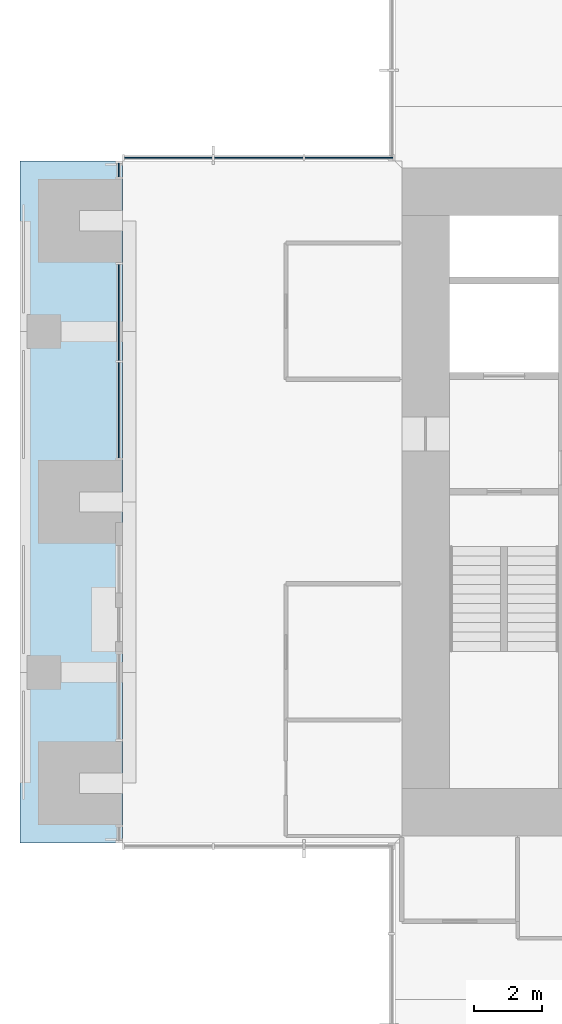
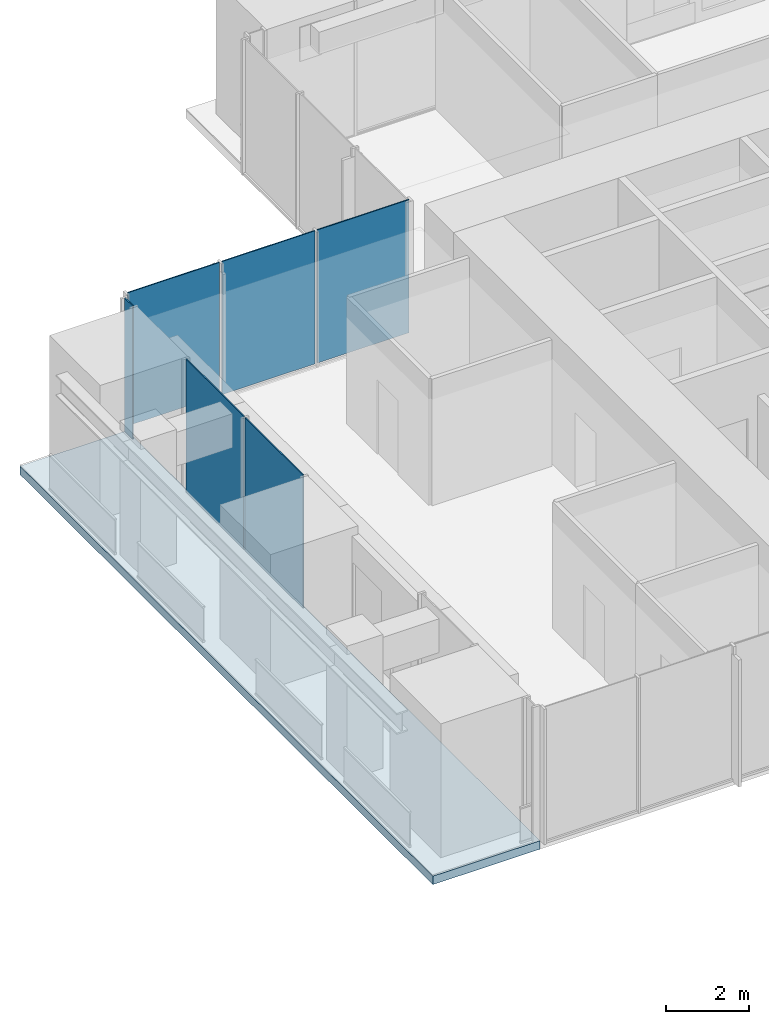
# One storey, part 8 of 17: 6 plates, 1 slab, 3 elements without a shape of their own.
"""IFC4 building model written with IfcOpenShell, lengths in metres."""

from ifc_helpers import new_model, si_unit, direction, frame, origin, origin_2d, place, context, subcontext, project, spatial, polyline, rectangle, outline, extrude, material, layer, layer_set, type_object, element, aggregate, save


model = new_model("IFC4")

# Units and contexts
model_context = context("Model", 3, precision=1e-05, world=origin(), true_north=direction((0.0, 1.0)))
body_context = subcontext(model_context, "Body", "Model", "MODEL_VIEW")
ifc_project = project(units=[si_unit("LENGTHUNIT", "METRE"), si_unit("AREAUNIT", "SQUARE_METRE"), si_unit("VOLUMEUNIT", "CUBIC_METRE"), si_unit("PLANEANGLEUNIT", "RADIAN"), si_unit("MASSUNIT", "GRAM", prefix="KILO")], contexts=[model_context])

# Site, building, storey
site_placement = place(None, origin())
site = spatial("IfcSite", under=ifc_project, at=site_placement, CompositionType="ELEMENT")
building_placement = place(site_placement, origin())
building = spatial("IfcBuilding", under=site, at=building_placement, Name="Svetlomir Tower", CompositionType="ELEMENT")
storey_placement = place(building_placement, frame((0.0, 0.0, 194.5)))
storey = spatial("IfcBuildingStorey", under=building, at=storey_placement, Name="L46", CompositionType="ELEMENT", Elevation=194.5)

# Curtain wall, plates
ifc_material_1 = material(Name="Bronze anodised aluminium curtain wall", Category="aluminium")
curtain_wall_type = type_object("IfcCurtainWallType", Name="CURTAIN WALL CW1 TOWER OFFICE", PredefinedType="NOTDEFINED", material=ifc_material_1)
curtain_wall_1_placement = place(storey_placement, origin())
curtain_wall_1 = element("IfcCurtainWall", 1, at=curtain_wall_1_placement, inside=storey, type_object=curtain_wall_type, Name="Curtain wall CW1 L46", PredefinedType="NOTDEFINED")
ifc_material_2 = material(Name="Tinted double glazed unit", Category="glass")
ifc_layer_1 = layer(ifc_material_2, 0.031982421875)
ifc_layer_set_1 = layer_set([ifc_layer_1], Name="Tinted double glazed unit")
plate_type = type_object("IfcPlateType", Name="CW1 GLAZED PANEL 32", PredefinedType="CURTAIN_PANEL", material=ifc_layer_set_1)
plate_1_placement = place(storey_placement, frame((9.650390625, 31.10009765625, 0.06494140625), z_axis=(0.0, 0.0, 1.0), x_axis=(-1.0, 0.0, 0.0)))
plate_1 = element("IfcPlate", 2, at=plate_1_placement, type_object=plate_type, Name="CW1 panel 1.1", PredefinedType="CURTAIN_PANEL", context=body_context, shape_type="SweptSolid", body=[
    extrude(rectangle(XDim=2.569091796875, YDim=0.031982421875, at=origin_2d()), origin(), (0.0, 0.0, 1.0), 3.93505859375),
])
plate_2_placement = place(storey_placement, frame((7.0, 31.10009765625, 0.06494140625), z_axis=(0.0, 0.0, 1.0), x_axis=(-1.0, 0.0, 0.0)))
plate_2 = element("IfcPlate", 3, at=plate_2_placement, type_object=plate_type, Name="CW1 panel 2.1", PredefinedType="CURTAIN_PANEL", context=body_context, shape_type="SweptSolid", body=[
    extrude(rectangle(XDim=2.6015625, YDim=0.031982421875, at=origin_2d()), origin(), (0.0, 0.0, 1.0), 3.93505859375),
])
plate_3_placement = place(storey_placement, frame((4.349609375, 31.10009765625, 0.06494140625), z_axis=(0.0, 0.0, 1.0), x_axis=(-1.0, 0.0, 0.0)))
plate_3 = element("IfcPlate", 4, at=plate_3_placement, type_object=plate_type, Name="CW1 panel 3.1", PredefinedType="CURTAIN_PANEL", context=body_context, shape_type="SweptSolid", body=[
    extrude(rectangle(XDim=2.569091796875, YDim=0.031982421875, at=origin_2d()), origin(), (0.0, 0.0, 1.0), 3.93505859375),
])
aggregate(curtain_wall_1, [plate_1, plate_2, plate_3])

# Curtain wall, plate
curtain_wall_2_placement = place(storey_placement, origin())
curtain_wall_2 = element("IfcCurtainWall", 5, at=curtain_wall_2_placement, inside=storey, type_object=curtain_wall_type, Name="Curtain wall CW1 L46", PredefinedType="NOTDEFINED")
plate_4_placement = place(storey_placement, frame((2.89990234375, 30.737548828125, 0.06494140625), z_axis=(0.0, 0.0, 1.0), x_axis=(0.0, -1.0, 0.0)))
plate_4 = element("IfcPlate", 6, at=plate_4_placement, type_object=plate_type, Name="CW1 panel 1.1", PredefinedType="CURTAIN_PANEL", context=body_context, shape_type="SweptSolid", body=[
    extrude(rectangle(XDim=0.39501953125, YDim=0.031982421875, at=origin_2d()), origin(), (0.0, 0.0, 1.0), 3.93505859375),
])
aggregate(curtain_wall_2, [plate_4])

# Curtain wall, plates
curtain_wall_3_placement = place(storey_placement, origin())
curtain_wall_3 = element("IfcCurtainWall", 7, at=curtain_wall_3_placement, inside=storey, type_object=curtain_wall_type, Name="Curtain wall CW1 L46", PredefinedType="NOTDEFINED")
plate_5_placement = place(storey_placement, frame((2.89990234375, 26.558837890625, 0.06494140625), z_axis=(0.0, 0.0, 1.0), x_axis=(0.0, -1.0, 0.0)))
plate_5 = element("IfcPlate", 8, at=plate_5_placement, type_object=plate_type, Name="CW1 panel 1.1", PredefinedType="CURTAIN_PANEL", context=body_context, shape_type="SweptSolid", body=[
    extrude(rectangle(XDim=2.802490234375, YDim=0.031982421875, at=origin_2d()), origin(), (0.0, 0.0, 1.0), 3.93505859375),
])
plate_6_placement = place(storey_placement, frame((2.89990234375, 23.691162109375, 0.06494140625), z_axis=(0.0, 0.0, 1.0), x_axis=(0.0, -1.0, 0.0)))
plate_6 = element("IfcPlate", 9, at=plate_6_placement, type_object=plate_type, Name="CW1 panel 2.1", PredefinedType="CURTAIN_PANEL", context=body_context, shape_type="SweptSolid", body=[
    extrude(rectangle(XDim=2.802490234375, YDim=0.031982421875, at=origin_2d()), origin(), (0.0, 0.0, 1.0), 3.93505859375),
])
aggregate(curtain_wall_3, [plate_5, plate_6])

# Slab
ifc_material_3 = material(Name="Concrete C60/75", Category="concrete")
ifc_layer_2 = layer(ifc_material_3, 0.25)
ifc_layer_set_2 = layer_set([ifc_layer_2], Name="Concrete C60/75")
slab_type = type_object("IfcSlabType", Name="PLANTED LOGGIA SLAB 250", PredefinedType="FLOOR", material=ifc_layer_set_2)
slab_placement = place(storey_placement, frame((0.0, 0.0, -0.25)))
element("IfcSlab", 10, at=slab_placement, inside=storey, type_object=slab_type, Name="L46 W planted loggia", PredefinedType="FLOOR", context=body_context, shape_type="SweptSolid", body=[
    extrude(outline(polyline([(0.0, 11.0), (3.0, 11.0), (3.0, 31.0), (0.0, 31.0), (0.0, 11.0)])), origin(), (0.0, 0.0, 1.0), 0.25),
])

save(model, "model.ifc")
